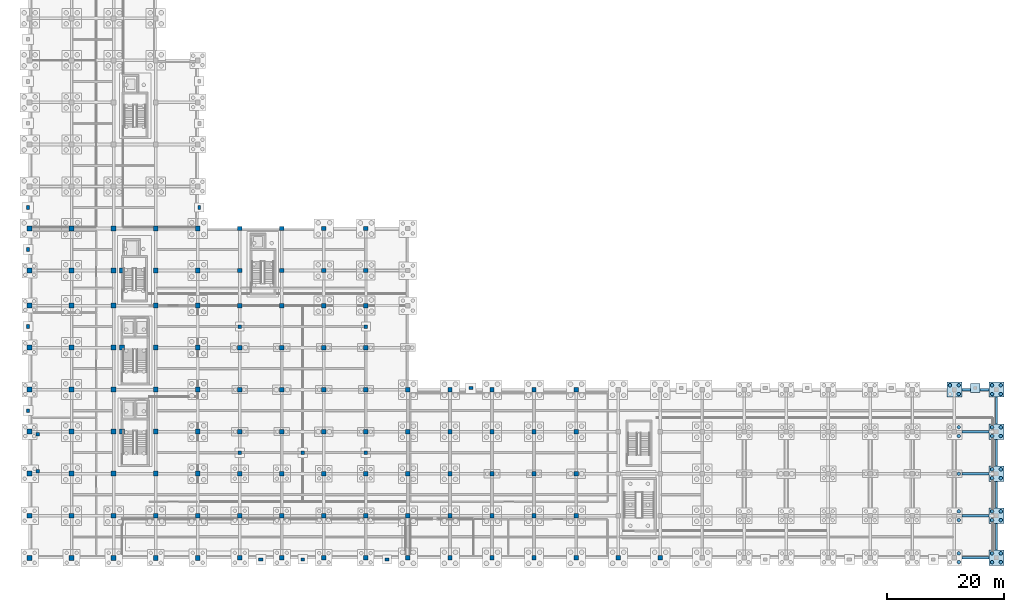
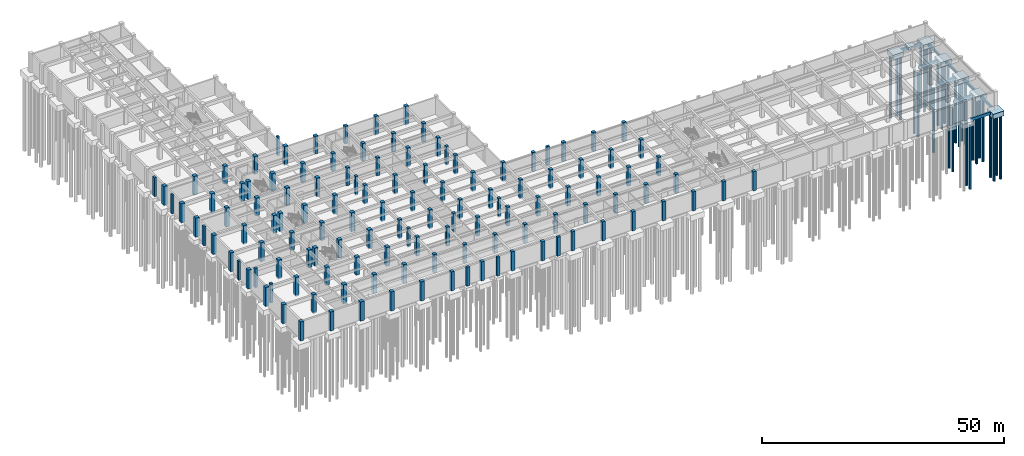
# One storey, part 9 of 28: 127 columns, 30 piles, 17 footings.
"""IFC4 building model written with IfcOpenShell, lengths in metres."""

from ifc_helpers import new_model, si_unit, direction, frame, origin, origin_2d, place, context, subcontext, project, spatial, rectangle, circle, extrude, material, material_profile, profile_set, type_object, element, save


model = new_model("IFC4")

# Units and contexts
model_context = context("Model", 3, precision=1e-05, world=origin(), true_north=direction((0.0, 1.0)))
body_context = subcontext(model_context, "Body", "Model", "MODEL_VIEW")
ifc_project = project(units=[si_unit("LENGTHUNIT", "METRE"), si_unit("AREAUNIT", "SQUARE_METRE"), si_unit("VOLUMEUNIT", "CUBIC_METRE"), si_unit("PLANEANGLEUNIT", "RADIAN"), si_unit("MASSUNIT", "GRAM", prefix="KILO")], contexts=[model_context])

# Site, building, storey
site_placement = place(None, origin())
site = spatial("IfcSite", under=ifc_project, at=site_placement, CompositionType="ELEMENT")
building_placement = place(site_placement, origin())
building = spatial("IfcBuilding", under=site, at=building_placement, Name="Alvorim Cloister Faculty of Sciences", CompositionType="ELEMENT")
storey_placement = place(building_placement, frame((0.0, 0.0, -4.5)))
storey = spatial("IfcBuildingStorey", under=building, at=storey_placement, Name="B01", CompositionType="ELEMENT", Elevation=-4.5)

# Footings
ifc_material_1 = material(Name="Concrete C40", Category="concrete")
footing_type_1 = type_object("IfcFootingType", Name="FT-PAD-1600x1600x700", PredefinedType="PAD_FOOTING", material=ifc_material_1)
footing_placement = place(storey_placement, frame((162.0, 29.080078125, -0.97998046875), z_axis=(0.0, 0.0, 1.0), x_axis=(1.0, 0.0, 0.0)))
element("IfcFooting", 1, at=footing_placement, inside=storey, type_object=footing_type_1, Name="Buttress Pad Footing FT-0530", PredefinedType="PAD_FOOTING", context=body_context, shape_type="SweptSolid", body=[
    extrude(rectangle(XDim=1.60009765625, YDim=1.60009765625, at=origin_2d()), origin(), (0.0, 0.0, 1.0), 0.699951171875),
])
footing_type_2 = type_object("IfcFootingType", Name="FT-PC-2600x2600x1200", PredefinedType="PILE_CAP", material=ifc_material_1)
for number, where, z_axis, x_axis, name in (
    (2, (158.39990234375, 28.800048828125, -1.47998046875), (0.0, 0.0, 1.0), (1.0, 0.0, 0.0), "B01 Pile Cap FT-0194"),
    (3, (165.60009765625, 0.0, -1.47998046875), (0.0, 0.0, 1.0), (1.0, 0.0, 0.0), "B01 Pile Cap FT-0195"),
    (4, (165.60009765625, 7.199951171875, -1.47998046875), (0.0, 0.0, 1.0), (1.0, 0.0, 0.0), "B01 Pile Cap FT-0196"),
    (5, (165.60009765625, 14.39990234375, -1.47998046875), (0.0, 0.0, 1.0), (1.0, 0.0, 0.0), "B01 Pile Cap FT-0197"),
    (6, (165.60009765625, 21.60009765625, -1.47998046875), (0.0, 0.0, 1.0), (1.0, 0.0, 0.0), "B01 Pile Cap FT-0198"),
    (7, (165.60009765625, 28.800048828125, -1.47998046875), (0.0, 0.0, 1.0), (1.0, 0.0, 0.0), "B01 Pile Cap FT-0199"),
):
    element("IfcFooting", number, at=place(storey_placement, frame(where, z_axis=z_axis, x_axis=x_axis)), inside=storey, type_object=footing_type_2, Name=name, PredefinedType="PILE_CAP", context=body_context, shape_type="SweptSolid", body=[
        extrude(rectangle(XDim=2.60009765625, YDim=2.60009765625, at=origin_2d()), origin(), (0.0, 0.0, 1.0), 1.199951171875),
    ])
footing_type_3 = type_object("IfcFootingType", Name="FT-TB-350x600", PredefinedType="FOOTING_BEAM", material=ifc_material_1)
for number, where, z_axis, x_axis, name in (
    (8, (165.60009765625, 3.60009765625, -0.880126953125), (0.0, 0.0, 1.0), (1.0, 0.0, 0.0), "Ground Tie Beam FT-0499"),
    (9, (165.60009765625, 10.800048828125, -0.880126953125), (0.0, 0.0, 1.0), (1.0, 0.0, 0.0), "Ground Tie Beam FT-0500"),
    (10, (165.60009765625, 18.0, -0.880126953125), (0.0, 0.0, 1.0), (1.0, 0.0, 0.0), "Ground Tie Beam FT-0501"),
    (11, (165.60009765625, 25.199951171875, -0.880126953125), (0.0, 0.0, 1.0), (1.0, 0.0, 0.0), "Ground Tie Beam FT-0502"),
):
    element("IfcFooting", number, at=place(storey_placement, frame(where, z_axis=z_axis, x_axis=x_axis)), inside=storey, type_object=footing_type_3, Name=name, PredefinedType="FOOTING_BEAM", context=body_context, shape_type="SweptSolid", body=[
        extrude(rectangle(XDim=0.35009765625, YDim=4.60009765625, at=origin_2d()), origin(), (0.0, 0.0, 1.0), 0.60009765625),
    ])
footing_type_4 = type_object("IfcFootingType", Name="FT-TB-400x650", PredefinedType="FOOTING_BEAM", material=ifc_material_1)
for number, where, z_axis, x_axis, name in (
    (12, (162.0, 7.199951171875, -0.929931640625), (0.0, 0.0, 1.0), (1.0, 0.0, 0.0), "Ground Tie Beam FT-0492"),
    (13, (162.0, 21.60009765625, -0.929931640625), (0.0, 0.0, 1.0), (1.0, 0.0, 0.0), "Ground Tie Beam FT-0496"),
):
    element("IfcFooting", number, at=place(storey_placement, frame(where, z_axis=z_axis, x_axis=x_axis)), inside=storey, type_object=footing_type_4, Name=name, PredefinedType="FOOTING_BEAM", context=body_context, shape_type="SweptSolid", body=[
        extrude(rectangle(XDim=4.60009765625, YDim=0.39990234375, at=origin_2d()), origin(), (0.0, 0.0, 1.0), 0.64990234375),
    ])
footing_type_5 = type_object("IfcFootingType", Name="FT-TB-450x700", PredefinedType="FOOTING_BEAM", material=ifc_material_1)
for number, where, z_axis, x_axis, name in (
    (14, (162.0, 0.0, -0.97998046875), (0.0, 0.0, 1.0), (1.0, 0.0, 0.0), "Ground Tie Beam FT-0490"),
    (15, (162.0, 14.39990234375, -0.97998046875), (0.0, 0.0, 1.0), (1.0, 0.0, 0.0), "Ground Tie Beam FT-0494"),
):
    element("IfcFooting", number, at=place(storey_placement, frame(where, z_axis=z_axis, x_axis=x_axis)), inside=storey, type_object=footing_type_5, Name=name, PredefinedType="FOOTING_BEAM", context=body_context, shape_type="SweptSolid", body=[
        extrude(rectangle(XDim=4.60009765625, YDim=0.449951171875, at=origin_2d()), origin(), (0.0, 0.0, 1.0), 0.699951171875),
    ])
for number, where, z_axis, x_axis, name in (
    (16, (160.449951171875, 28.800048828125, -0.97998046875), (0.0, 0.0, 1.0), (1.0, 0.0, 0.0), "Ground Tie Beam FT-0497"),
    (17, (163.550048828125, 28.800048828125, -0.97998046875), (0.0, 0.0, 1.0), (1.0, 0.0, 0.0), "Ground Tie Beam FT-0498"),
):
    element("IfcFooting", number, at=place(storey_placement, frame(where, z_axis=z_axis, x_axis=x_axis)), inside=storey, type_object=footing_type_5, Name=name, PredefinedType="FOOTING_BEAM", context=body_context, shape_type="SweptSolid", body=[
        extrude(rectangle(XDim=1.5, YDim=0.449951171875, at=origin_2d()), origin(), (0.0, 0.0, 1.0), 0.699951171875),
    ])

# Piles
ifc_material_2 = material(Name="Concrete C30", Category="concrete")
ifc_material_profile_1 = material_profile(ifc_material_2, circle(Radius=0.300048828125, at=origin_2d()), Name="PILE-D600")
ifc_profile_set_1 = profile_set([ifc_material_profile_1], Name="Concrete C30")
pile_type = type_object("IfcPileType", Name="PL-BORED-D600", PredefinedType="BORED", material=ifc_profile_set_1)
for number, where, z_axis, x_axis, name in (
    (18, (159.14990234375, -0.75, -1.3798828125), (0.0, 0.0, -1.0), (1.0, 0.0, 0.0), "Bored Pile PL-0716"),
    (19, (159.14990234375, 0.75, -1.3798828125), (0.0, 0.0, -1.0), (1.0, 0.0, 0.0), "Bored Pile PL-0718"),
    (20, (159.14990234375, 6.449951171875, -1.3798828125), (0.0, 0.0, -1.0), (1.0, 0.0, 0.0), "Bored Pile PL-0720"),
    (21, (159.14990234375, 7.949951171875, -1.3798828125), (0.0, 0.0, -1.0), (1.0, 0.0, 0.0), "Bored Pile PL-0722"),
):
    element("IfcPile", number, at=place(storey_placement, frame(where, z_axis=z_axis, x_axis=x_axis)), inside=storey, type_object=pile_type, Name=name, PredefinedType="BORED", context=body_context, shape_type="SweptSolid", body=[
        extrude(circle(Radius=0.300048828125, at=origin_2d()), origin(), (0.0, 0.0, 1.0), 16.1201171875),
    ])
pile_placement = place(storey_placement, frame((159.14990234375, 14.39990234375, -1.280029296875), z_axis=(0.0, 0.0, -1.0), x_axis=(1.0, 0.0, 0.0)))
element("IfcPile", 22, at=pile_placement, inside=storey, type_object=pile_type, Name="Bored Pile PL-0724", PredefinedType="BORED", context=body_context, shape_type="SweptSolid", body=[
    extrude(circle(Radius=0.300048828125, at=origin_2d()), origin(), (0.0, 0.0, 1.0), 16.219970703125),
])
for number, where, z_axis, x_axis, name in (
    (23, (159.14990234375, 20.85009765625, -1.3798828125), (0.0, 0.0, -1.0), (1.0, 0.0, 0.0), "Bored Pile PL-0726"),
    (24, (159.14990234375, 22.35009765625, -1.3798828125), (0.0, 0.0, -1.0), (1.0, 0.0, 0.0), "Bored Pile PL-0728"),
    (25, (159.14990234375, 28.050048828125, -1.3798828125), (0.0, 0.0, -1.0), (1.0, 0.0, 0.0), "Bored Pile PL-0730"),
    (26, (157.64990234375, 29.550048828125, -1.3798828125), (0.0, 0.0, -1.0), (1.0, 0.0, 0.0), "Bored Pile PL-0731"),
    (27, (159.14990234375, 29.550048828125, -1.3798828125), (0.0, 0.0, -1.0), (1.0, 0.0, 0.0), "Bored Pile PL-0732"),
    (28, (164.85009765625, -0.75, -1.3798828125), (0.0, 0.0, -1.0), (1.0, 0.0, 0.0), "Bored Pile PL-0733"),
    (29, (166.35009765625, -0.75, -1.3798828125), (0.0, 0.0, -1.0), (1.0, 0.0, 0.0), "Bored Pile PL-0734"),
    (30, (164.85009765625, 0.75, -1.3798828125), (0.0, 0.0, -1.0), (1.0, 0.0, 0.0), "Bored Pile PL-0735"),
    (31, (166.35009765625, 0.75, -1.3798828125), (0.0, 0.0, -1.0), (1.0, 0.0, 0.0), "Bored Pile PL-0736"),
    (32, (164.85009765625, 6.449951171875, -1.3798828125), (0.0, 0.0, -1.0), (1.0, 0.0, 0.0), "Bored Pile PL-0737"),
    (33, (166.35009765625, 6.449951171875, -1.3798828125), (0.0, 0.0, -1.0), (1.0, 0.0, 0.0), "Bored Pile PL-0738"),
    (34, (164.85009765625, 7.949951171875, -1.3798828125), (0.0, 0.0, -1.0), (1.0, 0.0, 0.0), "Bored Pile PL-0739"),
    (35, (166.35009765625, 7.949951171875, -1.3798828125), (0.0, 0.0, -1.0), (1.0, 0.0, 0.0), "Bored Pile PL-0740"),
    (36, (164.85009765625, 13.64990234375, -1.3798828125), (0.0, 0.0, -1.0), (1.0, 0.0, 0.0), "Bored Pile PL-0741"),
    (37, (166.35009765625, 13.64990234375, -1.3798828125), (0.0, 0.0, -1.0), (1.0, 0.0, 0.0), "Bored Pile PL-0742"),
    (38, (164.85009765625, 15.14990234375, -1.3798828125), (0.0, 0.0, -1.0), (1.0, 0.0, 0.0), "Bored Pile PL-0743"),
    (39, (166.35009765625, 15.14990234375, -1.3798828125), (0.0, 0.0, -1.0), (1.0, 0.0, 0.0), "Bored Pile PL-0744"),
    (40, (164.85009765625, 20.85009765625, -1.3798828125), (0.0, 0.0, -1.0), (1.0, 0.0, 0.0), "Bored Pile PL-0745"),
    (41, (166.35009765625, 20.85009765625, -1.3798828125), (0.0, 0.0, -1.0), (1.0, 0.0, 0.0), "Bored Pile PL-0746"),
    (42, (164.85009765625, 22.35009765625, -1.3798828125), (0.0, 0.0, -1.0), (1.0, 0.0, 0.0), "Bored Pile PL-0747"),
    (43, (166.35009765625, 22.35009765625, -1.3798828125), (0.0, 0.0, -1.0), (1.0, 0.0, 0.0), "Bored Pile PL-0748"),
    (44, (164.85009765625, 28.050048828125, -1.3798828125), (0.0, 0.0, -1.0), (1.0, 0.0, 0.0), "Bored Pile PL-0749"),
    (45, (166.35009765625, 28.050048828125, -1.3798828125), (0.0, 0.0, -1.0), (1.0, 0.0, 0.0), "Bored Pile PL-0750"),
    (46, (164.85009765625, 29.550048828125, -1.3798828125), (0.0, 0.0, -1.0), (1.0, 0.0, 0.0), "Bored Pile PL-0751"),
    (47, (166.35009765625, 29.550048828125, -1.3798828125), (0.0, 0.0, -1.0), (1.0, 0.0, 0.0), "Bored Pile PL-0752"),
):
    element("IfcPile", number, at=place(storey_placement, frame(where, z_axis=z_axis, x_axis=x_axis)), inside=storey, type_object=pile_type, Name=name, PredefinedType="BORED", context=body_context, shape_type="SweptSolid", body=[
        extrude(circle(Radius=0.300048828125, at=origin_2d()), origin(), (0.0, 0.0, 1.0), 16.1201171875),
    ])

# Columns
ifc_material_profile_2 = material_profile(ifc_material_1, rectangle(XDim=0.60009765625, YDim=0.60009765625, at=origin_2d()), Name="RC40-COL-600x600")
ifc_profile_set_2 = profile_set([ifc_material_profile_2], Name="Concrete C40")
column_type_1 = type_object("IfcColumnType", Name="COL-RC-600", PredefinedType="COLUMN", material=ifc_profile_set_2)
for number, where, z_axis, x_axis, name in (
    (48, (1.39990234375, 14.800048828125, -0.300048828125), (0.0, 0.0, 1.0), (1.0, 0.0, 0.0), "B01 Plaza Support Column COL-1107"),
    (49, (1.39990234375, 21.199951171875, -0.300048828125), (0.0, 0.0, 1.0), (1.0, 0.0, 0.0), "B01 Plaza Support Column COL-1109"),
    (50, (36.0, 18.0, -0.300048828125), (0.0, 0.0, 1.0), (1.0, 0.0, 0.0), "B01 Plaza Support Column COL-1111"),
    (51, (46.800048828125, 18.0, -0.300048828125), (0.0, 0.0, 1.0), (1.0, 0.0, 0.0), "B01 Plaza Support Column COL-1113"),
    (52, (57.60009765625, 18.0, -0.300048828125), (0.0, 0.0, 1.0), (1.0, 0.0, 0.0), "B01 Plaza Support Column COL-1115"),
    (53, (36.0, 39.60009765625, -0.300048828125), (0.0, 0.0, 1.0), (1.0, 0.0, 0.0), "B01 Plaza Support Column COL-1117"),
    (54, (57.60009765625, 39.60009765625, -0.300048828125), (0.0, 0.0, 1.0), (1.0, 0.0, 0.0), "B01 Plaza Support Column COL-1119"),
):
    element("IfcColumn", number, at=place(storey_placement, frame(where, z_axis=z_axis, x_axis=x_axis)), inside=storey, type_object=column_type_1, Name=name, PredefinedType="COLUMN", context=body_context, shape_type="SweptSolid", body=[
        extrude(rectangle(XDim=0.60009765625, YDim=0.60009765625, at=origin_2d()), origin(), (0.0, 0.0, 1.0), 4.800048828125),
    ])
ifc_material_profile_3 = material_profile(ifc_material_1, rectangle(XDim=0.75, YDim=0.75, at=origin_2d()), Name="RC40-COL-750x750")
ifc_profile_set_3 = profile_set([ifc_material_profile_3], Name="Concrete C40")
column_type_2 = type_object("IfcColumnType", Name="COL-RC-750", PredefinedType="COLUMN", material=ifc_profile_set_3)
for number, where, z_axis, x_axis, name in (
    (55, (36.0, 0.0, -0.300048828125), (0.0, 0.0, 1.0), (1.0, 0.0, 0.0), "B01 Column COL-0085"),
    (56, (36.0, 7.199951171875, -0.300048828125), (0.0, 0.0, 1.0), (1.0, 0.0, 0.0), "B01 Column COL-0086"),
    (57, (36.0, 14.39990234375, -0.300048828125), (0.0, 0.0, 1.0), (1.0, 0.0, 0.0), "B01 Column COL-0087"),
    (58, (36.0, 21.60009765625, -0.300048828125), (0.0, 0.0, 1.0), (1.0, 0.0, 0.0), "B01 Column COL-0088"),
    (59, (36.0, 28.800048828125, -0.300048828125), (0.0, 0.0, 1.0), (1.0, 0.0, 0.0), "B01 Column COL-0089"),
    (60, (36.0, 36.0, -0.300048828125), (0.0, 0.0, 1.0), (1.0, 0.0, 0.0), "B01 Column COL-0090"),
):
    element("IfcColumn", number, at=place(storey_placement, frame(where, z_axis=z_axis, x_axis=x_axis)), inside=storey, type_object=column_type_2, Name=name, PredefinedType="COLUMN", context=body_context, shape_type="SweptSolid", body=[
        extrude(rectangle(XDim=0.75, YDim=0.75, at=origin_2d()), origin(), (0.0, 0.0, 1.0), 4.800048828125),
    ])
for number, where, z_axis, x_axis, name in (
    (61, (36.0, 43.199951171875, 0.0), (0.0, 0.0, 1.0), (1.0, 0.0, 0.0), "B01 Column COL-0091"),
    (62, (36.0, 49.199951171875, 0.0), (0.0, 0.0, 1.0), (1.0, 0.0, 0.0), "B01 Column COL-0092"),
    (63, (36.0, 56.39990234375, 0.0), (0.0, 0.0, 1.0), (1.0, 0.0, 0.0), "B01 Column COL-0093"),
):
    element("IfcColumn", number, at=place(storey_placement, frame(where, z_axis=z_axis, x_axis=x_axis)), inside=storey, type_object=column_type_2, Name=name, PredefinedType="COLUMN", context=body_context, shape_type="SweptSolid", body=[
        extrude(rectangle(XDim=0.75, YDim=0.75, at=origin_2d()), origin(), (0.0, 0.0, 1.0), 4.5),
    ])
for number, where, z_axis, x_axis, name in (
    (64, (43.199951171875, 0.0, -0.300048828125), (0.0, 0.0, 1.0), (1.0, 0.0, 0.0), "B01 Column COL-0094"),
    (65, (43.199951171875, 7.199951171875, -0.300048828125), (0.0, 0.0, 1.0), (1.0, 0.0, 0.0), "B01 Column COL-0095"),
    (66, (43.199951171875, 14.39990234375, -0.300048828125), (0.0, 0.0, 1.0), (1.0, 0.0, 0.0), "B01 Column COL-0096"),
    (67, (43.199951171875, 21.60009765625, -0.300048828125), (0.0, 0.0, 1.0), (1.0, 0.0, 0.0), "B01 Column COL-0097"),
    (68, (43.199951171875, 28.800048828125, -0.300048828125), (0.0, 0.0, 1.0), (1.0, 0.0, 0.0), "B01 Column COL-0098"),
    (69, (43.199951171875, 36.0, -0.300048828125), (0.0, 0.0, 1.0), (1.0, 0.0, 0.0), "B01 Column COL-0099"),
):
    element("IfcColumn", number, at=place(storey_placement, frame(where, z_axis=z_axis, x_axis=x_axis)), inside=storey, type_object=column_type_2, Name=name, PredefinedType="COLUMN", context=body_context, shape_type="SweptSolid", body=[
        extrude(rectangle(XDim=0.75, YDim=0.75, at=origin_2d()), origin(), (0.0, 0.0, 1.0), 4.800048828125),
    ])
for number, where, z_axis, x_axis, name in (
    (70, (43.199951171875, 43.199951171875, 0.0), (0.0, 0.0, 1.0), (1.0, 0.0, 0.0), "B01 Column COL-0100"),
    (71, (43.199951171875, 49.199951171875, 0.0), (0.0, 0.0, 1.0), (1.0, 0.0, 0.0), "B01 Column COL-0101"),
    (72, (43.199951171875, 56.39990234375, 0.0), (0.0, 0.0, 1.0), (1.0, 0.0, 0.0), "B01 Column COL-0102"),
):
    element("IfcColumn", number, at=place(storey_placement, frame(where, z_axis=z_axis, x_axis=x_axis)), inside=storey, type_object=column_type_2, Name=name, PredefinedType="COLUMN", context=body_context, shape_type="SweptSolid", body=[
        extrude(rectangle(XDim=0.75, YDim=0.75, at=origin_2d()), origin(), (0.0, 0.0, 1.0), 4.5),
    ])
for number, where, z_axis, x_axis, name in (
    (73, (50.39990234375, 0.0, -0.300048828125), (0.0, 0.0, 1.0), (1.0, 0.0, 0.0), "B01 Column COL-0103"),
    (74, (50.39990234375, 7.199951171875, -0.300048828125), (0.0, 0.0, 1.0), (1.0, 0.0, 0.0), "B01 Column COL-0104"),
    (75, (50.39990234375, 14.39990234375, -0.300048828125), (0.0, 0.0, 1.0), (1.0, 0.0, 0.0), "B01 Column COL-0105"),
    (76, (50.39990234375, 21.60009765625, -0.300048828125), (0.0, 0.0, 1.0), (1.0, 0.0, 0.0), "B01 Column COL-0106"),
    (77, (50.39990234375, 28.800048828125, -0.300048828125), (0.0, 0.0, 1.0), (1.0, 0.0, 0.0), "B01 Column COL-0107"),
    (78, (50.39990234375, 36.0, -0.300048828125), (0.0, 0.0, 1.0), (1.0, 0.0, 0.0), "B01 Column COL-0108"),
    (79, (50.39990234375, 43.199951171875, -0.300048828125), (0.0, 0.0, 1.0), (1.0, 0.0, 0.0), "B01 Column COL-0109"),
    (80, (50.39990234375, 49.199951171875, -0.300048828125), (0.0, 0.0, 1.0), (1.0, 0.0, 0.0), "B01 Column COL-0110"),
    (81, (50.39990234375, 56.39990234375, -0.300048828125), (0.0, 0.0, 1.0), (1.0, 0.0, 0.0), "B01 Column COL-0111"),
    (82, (57.60009765625, 0.0, -0.300048828125), (0.0, 0.0, 1.0), (1.0, 0.0, 0.0), "B01 Column COL-0112"),
    (83, (57.60009765625, 7.199951171875, -0.300048828125), (0.0, 0.0, 1.0), (1.0, 0.0, 0.0), "B01 Column COL-0113"),
    (84, (57.60009765625, 14.39990234375, -0.300048828125), (0.0, 0.0, 1.0), (1.0, 0.0, 0.0), "B01 Column COL-0114"),
    (85, (57.60009765625, 21.60009765625, -0.300048828125), (0.0, 0.0, 1.0), (1.0, 0.0, 0.0), "B01 Column COL-0115"),
    (86, (57.60009765625, 28.800048828125, -0.300048828125), (0.0, 0.0, 1.0), (1.0, 0.0, 0.0), "B01 Column COL-0116"),
    (87, (57.60009765625, 36.0, -0.300048828125), (0.0, 0.0, 1.0), (1.0, 0.0, 0.0), "B01 Column COL-0117"),
    (88, (57.60009765625, 43.199951171875, -0.300048828125), (0.0, 0.0, 1.0), (1.0, 0.0, 0.0), "B01 Column COL-0118"),
    (89, (57.60009765625, 49.199951171875, -0.300048828125), (0.0, 0.0, 1.0), (1.0, 0.0, 0.0), "B01 Column COL-0119"),
    (90, (57.60009765625, 56.39990234375, -0.300048828125), (0.0, 0.0, 1.0), (1.0, 0.0, 0.0), "B01 Column COL-0120"),
    (91, (64.800048828125, 0.0, -0.300048828125), (0.0, 0.0, 1.0), (1.0, 0.0, 0.0), "B01 Column COL-0121"),
    (92, (64.800048828125, 7.199951171875, -0.300048828125), (0.0, 0.0, 1.0), (1.0, 0.0, 0.0), "B01 Column COL-0122"),
    (93, (64.800048828125, 14.39990234375, -0.300048828125), (0.0, 0.0, 1.0), (1.0, 0.0, 0.0), "B01 Column COL-0123"),
    (94, (64.800048828125, 21.60009765625, -0.300048828125), (0.0, 0.0, 1.0), (1.0, 0.0, 0.0), "B01 Column COL-0124"),
    (95, (64.800048828125, 28.800048828125, -0.300048828125), (0.0, 0.0, 1.0), (1.0, 0.0, 0.0), "B01 Column COL-0125"),
    (96, (72.0, 0.0, -0.300048828125), (0.0, 0.0, 1.0), (1.0, 0.0, 0.0), "B01 Column COL-0130"),
    (97, (72.0, 7.199951171875, -0.300048828125), (0.0, 0.0, 1.0), (1.0, 0.0, 0.0), "B01 Column COL-0131"),
    (98, (72.0, 14.39990234375, -0.300048828125), (0.0, 0.0, 1.0), (1.0, 0.0, 0.0), "B01 Column COL-0132"),
    (99, (72.0, 21.60009765625, -0.300048828125), (0.0, 0.0, 1.0), (1.0, 0.0, 0.0), "B01 Column COL-0133"),
    (100, (72.0, 28.800048828125, -0.300048828125), (0.0, 0.0, 1.0), (1.0, 0.0, 0.0), "B01 Column COL-0134"),
    (101, (79.199951171875, 0.0, -0.300048828125), (0.0, 0.0, 1.0), (1.0, 0.0, 0.0), "B01 Column COL-0135"),
    (102, (79.199951171875, 7.199951171875, -0.300048828125), (0.0, 0.0, 1.0), (1.0, 0.0, 0.0), "B01 Column COL-0136"),
    (103, (79.199951171875, 14.39990234375, -0.300048828125), (0.0, 0.0, 1.0), (1.0, 0.0, 0.0), "B01 Column COL-0137"),
    (104, (79.199951171875, 21.60009765625, -0.300048828125), (0.0, 0.0, 1.0), (1.0, 0.0, 0.0), "B01 Column COL-0138"),
    (105, (79.199951171875, 28.800048828125, -0.300048828125), (0.0, 0.0, 1.0), (1.0, 0.0, 0.0), "B01 Column COL-0139"),
    (106, (86.39990234375, 0.0, -0.300048828125), (0.0, 0.0, 1.0), (1.0, 0.0, 0.0), "B01 Column COL-0140"),
    (107, (86.39990234375, 7.199951171875, -0.300048828125), (0.0, 0.0, 1.0), (1.0, 0.0, 0.0), "B01 Column COL-0141"),
    (108, (86.39990234375, 14.39990234375, -0.300048828125), (0.0, 0.0, 1.0), (1.0, 0.0, 0.0), "B01 Column COL-0142"),
    (109, (86.39990234375, 21.60009765625, -0.300048828125), (0.0, 0.0, 1.0), (1.0, 0.0, 0.0), "B01 Column COL-0143"),
    (110, (86.39990234375, 28.800048828125, -0.300048828125), (0.0, 0.0, 1.0), (1.0, 0.0, 0.0), "B01 Column COL-0144"),
    (111, (93.60009765625, 0.0, -0.300048828125), (0.0, 0.0, 1.0), (1.0, 0.0, 0.0), "B01 Column COL-0145"),
    (112, (93.60009765625, 7.199951171875, -0.300048828125), (0.0, 0.0, 1.0), (1.0, 0.0, 0.0), "B01 Column COL-0146"),
    (113, (93.60009765625, 14.39990234375, -0.300048828125), (0.0, 0.0, 1.0), (1.0, 0.0, 0.0), "B01 Column COL-0147"),
    (114, (93.60009765625, 21.60009765625, -0.300048828125), (0.0, 0.0, 1.0), (1.0, 0.0, 0.0), "B01 Column COL-0148"),
    (115, (93.60009765625, 28.800048828125, -0.300048828125), (0.0, 0.0, 1.0), (1.0, 0.0, 0.0), "B01 Column COL-0149"),
    (116, (100.800048828125, 0.0, -0.300048828125), (0.0, 0.0, 1.0), (1.0, 0.0, 0.0), "B01 Column COL-0150"),
    (117, (108.0, 0.0, -0.300048828125), (0.0, 0.0, 1.0), (1.0, 0.0, 0.0), "B01 Column COL-0155"),
):
    element("IfcColumn", number, at=place(storey_placement, frame(where, z_axis=z_axis, x_axis=x_axis)), inside=storey, type_object=column_type_2, Name=name, PredefinedType="COLUMN", context=body_context, shape_type="SweptSolid", body=[
        extrude(rectangle(XDim=0.75, YDim=0.75, at=origin_2d()), origin(), (0.0, 0.0, 1.0), 4.800048828125),
    ])
ifc_material_profile_4 = material_profile(ifc_material_1, rectangle(XDim=0.85009765625, YDim=0.85009765625, at=origin_2d()), Name="RC40-COL-850x850")
ifc_profile_set_4 = profile_set([ifc_material_profile_4], Name="Concrete C40")
column_type_3 = type_object("IfcColumnType", Name="COL-RC-850", PredefinedType="COLUMN", material=ifc_profile_set_4)
for number, where, z_axis, x_axis, name in (
    (118, (0.0, 0.0, -0.300048828125), (0.0, 0.0, 1.0), (1.0, 0.0, 0.0), "B01 Column COL-0001"),
    (119, (0.0, 7.199951171875, -0.300048828125), (0.0, 0.0, 1.0), (1.0, 0.0, 0.0), "B01 Column COL-0002"),
    (120, (0.0, 14.39990234375, -0.300048828125), (0.0, 0.0, 1.0), (1.0, 0.0, 0.0), "B01 Column COL-0003"),
    (121, (0.0, 21.60009765625, -0.300048828125), (0.0, 0.0, 1.0), (1.0, 0.0, 0.0), "B01 Column COL-0004"),
    (122, (0.0, 28.800048828125, -0.300048828125), (0.0, 0.0, 1.0), (1.0, 0.0, 0.0), "B01 Column COL-0005"),
    (123, (0.0, 36.0, -0.300048828125), (0.0, 0.0, 1.0), (1.0, 0.0, 0.0), "B01 Column COL-0006"),
    (124, (0.0, 43.199951171875, -0.300048828125), (0.0, 0.0, 1.0), (1.0, 0.0, 0.0), "B01 Column COL-0007"),
    (125, (0.0, 49.199951171875, -0.300048828125), (0.0, 0.0, 1.0), (1.0, 0.0, 0.0), "B01 Column COL-0008"),
    (126, (0.0, 56.39990234375, -0.300048828125), (0.0, 0.0, 1.0), (1.0, 0.0, 0.0), "B01 Column COL-0009"),
    (127, (7.199951171875, 0.0, -0.300048828125), (0.0, 0.0, 1.0), (1.0, 0.0, 0.0), "B01 Column COL-0018"),
    (128, (7.199951171875, 7.199951171875, -0.300048828125), (0.0, 0.0, 1.0), (1.0, 0.0, 0.0), "B01 Column COL-0019"),
    (129, (7.199951171875, 14.39990234375, -0.300048828125), (0.0, 0.0, 1.0), (1.0, 0.0, 0.0), "B01 Column COL-0020"),
    (130, (7.199951171875, 21.60009765625, -0.300048828125), (0.0, 0.0, 1.0), (1.0, 0.0, 0.0), "B01 Column COL-0021"),
    (131, (7.199951171875, 28.800048828125, -0.300048828125), (0.0, 0.0, 1.0), (1.0, 0.0, 0.0), "B01 Column COL-0022"),
    (132, (7.199951171875, 36.0, -0.300048828125), (0.0, 0.0, 1.0), (1.0, 0.0, 0.0), "B01 Column COL-0023"),
    (133, (7.199951171875, 43.199951171875, -0.300048828125), (0.0, 0.0, 1.0), (1.0, 0.0, 0.0), "B01 Column COL-0024"),
    (134, (7.199951171875, 49.199951171875, -0.300048828125), (0.0, 0.0, 1.0), (1.0, 0.0, 0.0), "B01 Column COL-0025"),
    (135, (7.199951171875, 56.39990234375, -0.300048828125), (0.0, 0.0, 1.0), (1.0, 0.0, 0.0), "B01 Column COL-0026"),
    (136, (14.39990234375, 0.0, -0.300048828125), (0.0, 0.0, 1.0), (1.0, 0.0, 0.0), "B01 Column COL-0035"),
    (137, (14.39990234375, 7.199951171875, -0.300048828125), (0.0, 0.0, 1.0), (1.0, 0.0, 0.0), "B01 Column COL-0036"),
):
    element("IfcColumn", number, at=place(storey_placement, frame(where, z_axis=z_axis, x_axis=x_axis)), inside=storey, type_object=column_type_3, Name=name, PredefinedType="COLUMN", context=body_context, shape_type="SweptSolid", body=[
        extrude(rectangle(XDim=0.85009765625, YDim=0.85009765625, at=origin_2d()), origin(), (0.0, 0.0, 1.0), 4.800048828125),
    ])
for number, where, z_axis, x_axis, name in (
    (138, (14.39990234375, 14.39990234375, 0.0), (0.0, 0.0, 1.0), (1.0, 0.0, 0.0), "B01 Column COL-0037"),
    (139, (14.39990234375, 21.60009765625, 0.0), (0.0, 0.0, 1.0), (1.0, 0.0, 0.0), "B01 Column COL-0038"),
    (140, (14.39990234375, 28.800048828125, 0.0), (0.0, 0.0, 1.0), (1.0, 0.0, 0.0), "B01 Column COL-0039"),
    (141, (14.39990234375, 36.0, 0.0), (0.0, 0.0, 1.0), (1.0, 0.0, 0.0), "B01 Column COL-0040"),
    (142, (14.39990234375, 43.199951171875, 0.0), (0.0, 0.0, 1.0), (1.0, 0.0, 0.0), "B01 Column COL-0041"),
    (143, (14.39990234375, 49.199951171875, 0.0), (0.0, 0.0, 1.0), (1.0, 0.0, 0.0), "B01 Column COL-0042"),
    (144, (14.39990234375, 56.39990234375, 0.0), (0.0, 0.0, 1.0), (1.0, 0.0, 0.0), "B01 Column COL-0043"),
    (145, (15.800048828125, 21.60009765625, 0.0), (0.0, 0.0, 1.0), (1.0, 0.0, 0.0), "B01 Column COL-0052"),
    (146, (15.800048828125, 36.0, 0.0), (0.0, 0.0, 1.0), (1.0, 0.0, 0.0), "B01 Column COL-0053"),
    (147, (15.800048828125, 49.199951171875, 0.0), (0.0, 0.0, 1.0), (1.0, 0.0, 0.0), "B01 Column COL-0054"),
):
    element("IfcColumn", number, at=place(storey_placement, frame(where, z_axis=z_axis, x_axis=x_axis)), inside=storey, type_object=column_type_3, Name=name, PredefinedType="COLUMN", context=body_context, shape_type="SweptSolid", body=[
        extrude(rectangle(XDim=0.85009765625, YDim=0.85009765625, at=origin_2d()), origin(), (0.0, 0.0, 1.0), 4.5),
    ])
for number, where, z_axis, x_axis, name in (
    (148, (21.60009765625, 0.0, -0.300048828125), (0.0, 0.0, 1.0), (1.0, 0.0, 0.0), "B01 Column COL-0055"),
    (149, (21.60009765625, 7.199951171875, -0.300048828125), (0.0, 0.0, 1.0), (1.0, 0.0, 0.0), "B01 Column COL-0056"),
):
    element("IfcColumn", number, at=place(storey_placement, frame(where, z_axis=z_axis, x_axis=x_axis)), inside=storey, type_object=column_type_3, Name=name, PredefinedType="COLUMN", context=body_context, shape_type="SweptSolid", body=[
        extrude(rectangle(XDim=0.85009765625, YDim=0.85009765625, at=origin_2d()), origin(), (0.0, 0.0, 1.0), 4.800048828125),
    ])
for number, where, z_axis, x_axis, name in (
    (150, (21.60009765625, 14.39990234375, 0.0), (0.0, 0.0, 1.0), (1.0, 0.0, 0.0), "B01 Column COL-0057"),
    (151, (21.60009765625, 21.60009765625, 0.0), (0.0, 0.0, 1.0), (1.0, 0.0, 0.0), "B01 Column COL-0058"),
    (152, (21.60009765625, 28.800048828125, 0.0), (0.0, 0.0, 1.0), (1.0, 0.0, 0.0), "B01 Column COL-0059"),
    (153, (21.60009765625, 36.0, 0.0), (0.0, 0.0, 1.0), (1.0, 0.0, 0.0), "B01 Column COL-0060"),
    (154, (21.60009765625, 43.199951171875, 0.0), (0.0, 0.0, 1.0), (1.0, 0.0, 0.0), "B01 Column COL-0061"),
    (155, (21.60009765625, 49.199951171875, 0.0), (0.0, 0.0, 1.0), (1.0, 0.0, 0.0), "B01 Column COL-0062"),
    (156, (21.60009765625, 56.39990234375, 0.0), (0.0, 0.0, 1.0), (1.0, 0.0, 0.0), "B01 Column COL-0063"),
):
    element("IfcColumn", number, at=place(storey_placement, frame(where, z_axis=z_axis, x_axis=x_axis)), inside=storey, type_object=column_type_3, Name=name, PredefinedType="COLUMN", context=body_context, shape_type="SweptSolid", body=[
        extrude(rectangle(XDim=0.85009765625, YDim=0.85009765625, at=origin_2d()), origin(), (0.0, 0.0, 1.0), 4.5),
    ])
for number, where, z_axis, x_axis, name in (
    (157, (28.800048828125, 0.0, -0.300048828125), (0.0, 0.0, 1.0), (1.0, 0.0, 0.0), "B01 Column COL-0072"),
    (158, (28.800048828125, 7.199951171875, -0.300048828125), (0.0, 0.0, 1.0), (1.0, 0.0, 0.0), "B01 Column COL-0073"),
    (159, (28.800048828125, 14.39990234375, -0.300048828125), (0.0, 0.0, 1.0), (1.0, 0.0, 0.0), "B01 Column COL-0074"),
    (160, (28.800048828125, 21.60009765625, -0.300048828125), (0.0, 0.0, 1.0), (1.0, 0.0, 0.0), "B01 Column COL-0075"),
    (161, (28.800048828125, 28.800048828125, -0.300048828125), (0.0, 0.0, 1.0), (1.0, 0.0, 0.0), "B01 Column COL-0076"),
    (162, (28.800048828125, 36.0, -0.300048828125), (0.0, 0.0, 1.0), (1.0, 0.0, 0.0), "B01 Column COL-0077"),
    (163, (28.800048828125, 43.199951171875, -0.300048828125), (0.0, 0.0, 1.0), (1.0, 0.0, 0.0), "B01 Column COL-0078"),
    (164, (28.800048828125, 49.199951171875, -0.300048828125), (0.0, 0.0, 1.0), (1.0, 0.0, 0.0), "B01 Column COL-0079"),
    (165, (28.800048828125, 56.39990234375, -0.300048828125), (0.0, 0.0, 1.0), (1.0, 0.0, 0.0), "B01 Column COL-0080"),
):
    element("IfcColumn", number, at=place(storey_placement, frame(where, z_axis=z_axis, x_axis=x_axis)), inside=storey, type_object=column_type_3, Name=name, PredefinedType="COLUMN", context=body_context, shape_type="SweptSolid", body=[
        extrude(rectangle(XDim=0.85009765625, YDim=0.85009765625, at=origin_2d()), origin(), (0.0, 0.0, 1.0), 4.800048828125),
    ])
ifc_material_3 = material(Name="Maua Grey Granite Stone", Category="masonry")
ifc_material_profile_5 = material_profile(ifc_material_3, rectangle(XDim=0.4599609375, YDim=0.6201171875, at=origin_2d()), Name="GRN-PIER-460x620")
ifc_profile_set_5 = profile_set([ifc_material_profile_5], Name="Maua Grey Granite Stone")
column_type_4 = type_object("IfcColumnType", Name="PIL-GRN-460x620", PredefinedType="PILASTER", material=ifc_profile_set_5)
for number, where, z_axis, x_axis, name in (
    (166, (-0.280029296875, 25.199951171875, -0.300048828125), (0.0, 0.0, 1.0), (1.0, 0.0, 0.0), "B01 Gothic Buttress Pier COL-1121"),
    (167, (-0.280029296875, 52.800048828125, -0.300048828125), (0.0, 0.0, 1.0), (1.0, 0.0, 0.0), "B01 Gothic Buttress Pier COL-1127"),
):
    element("IfcColumn", number, at=place(storey_placement, frame(where, z_axis=z_axis, x_axis=x_axis)), inside=storey, type_object=column_type_4, Name=name, PredefinedType="PILASTER", context=body_context, shape_type="SweptSolid", body=[
        extrude(rectangle(XDim=0.4599609375, YDim=0.6201171875, at=origin_2d()), origin(), (0.0, 0.0, 1.0), 4.800048828125),
    ])
column_1_placement = place(storey_placement, frame((29.080078125, 60.0, -0.280029296875), z_axis=(0.0, 0.0, 1.0), x_axis=(1.0, 0.0, 0.0)))
element("IfcColumn", 168, at=column_1_placement, inside=storey, type_object=column_type_4, Name="B01 Gothic Buttress Pier COL-1160", PredefinedType="PILASTER", context=body_context, shape_type="SweptSolid", body=[
    extrude(rectangle(XDim=0.4599609375, YDim=0.6201171875, at=origin_2d()), origin(), (0.0, 0.0, 1.0), 4.780029296875),
])
column_2_placement = place(storey_placement, frame((46.800048828125, -0.280029296875, -0.300048828125), z_axis=(0.0, 0.0, 1.0), x_axis=(0.0, 1.0, 0.0)))
element("IfcColumn", 169, at=column_2_placement, inside=storey, type_object=column_type_4, Name="B01 Gothic Buttress Pier COL-1177", PredefinedType="PILASTER", context=body_context, shape_type="SweptSolid", body=[
    extrude(rectangle(XDim=0.4599609375, YDim=0.6201171875, at=origin_2d()), origin(), (0.0, 0.0, 1.0), 4.800048828125),
])
ifc_material_profile_6 = material_profile(ifc_material_3, rectangle(XDim=0.52001953125, YDim=0.719970703125, at=origin_2d()), Name="GRN-PIER-520x720")
ifc_profile_set_6 = profile_set([ifc_material_profile_6], Name="Maua Grey Granite Stone")
column_type_5 = type_object("IfcColumnType", Name="PIL-GRN-520x720", PredefinedType="PILASTER", material=ifc_profile_set_6)
column_3_placement = place(storey_placement, frame((-0.280029296875, 39.60009765625, -0.300048828125), z_axis=(0.0, 0.0, 1.0), x_axis=(1.0, 0.0, 0.0)))
element("IfcColumn", 170, at=column_3_placement, inside=storey, type_object=column_type_5, Name="B01 Gothic Buttress Pier COL-1124", PredefinedType="PILASTER", context=body_context, shape_type="SweptSolid", body=[
    extrude(rectangle(XDim=0.52001953125, YDim=0.719970703125, at=origin_2d()), origin(), (0.0, 0.0, 1.0), 4.800048828125),
])
column_4_placement = place(storey_placement, frame((-0.280029296875, 60.0, -0.280029296875), z_axis=(0.0, 0.0, 1.0), x_axis=(1.0, 0.0, 0.0)))
element("IfcColumn", 171, at=column_4_placement, inside=storey, type_object=column_type_5, Name="B01 Gothic Buttress Pier COL-1130", PredefinedType="PILASTER", context=body_context, shape_type="SweptSolid", body=[
    extrude(rectangle(XDim=0.52001953125, YDim=0.719970703125, at=origin_2d()), origin(), (0.0, 0.0, 1.0), 4.780029296875),
])
for number, where, z_axis, x_axis, name in (
    (172, (39.60009765625, -0.280029296875, -0.300048828125), (0.0, 0.0, 1.0), (0.0, 1.0, 0.0), "B01 Gothic Buttress Pier COL-1172"),
    (173, (61.199951171875, -0.280029296875, -0.300048828125), (0.0, 0.0, 1.0), (0.0, 1.0, 0.0), "B01 Gothic Buttress Pier COL-1181"),
    (174, (75.60009765625, 29.080078125, -0.300048828125), (0.0, 0.0, 1.0), (0.0, 1.0, 0.0), "B01 Gothic Buttress Pier COL-1193"),
):
    element("IfcColumn", number, at=place(storey_placement, frame(where, z_axis=z_axis, x_axis=x_axis)), inside=storey, type_object=column_type_5, Name=name, PredefinedType="PILASTER", context=body_context, shape_type="SweptSolid", body=[
        extrude(rectangle(XDim=0.52001953125, YDim=0.719970703125, at=origin_2d()), origin(), (0.0, 0.0, 1.0), 4.800048828125),
    ])

save(model, "model.ifc")
